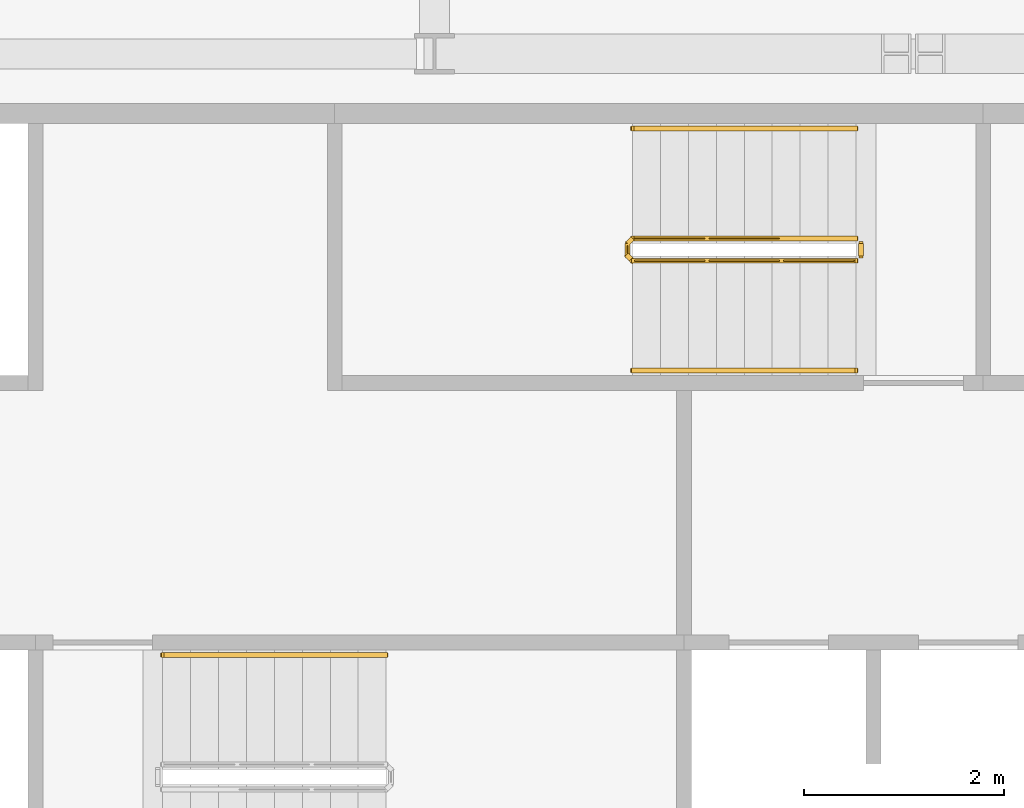
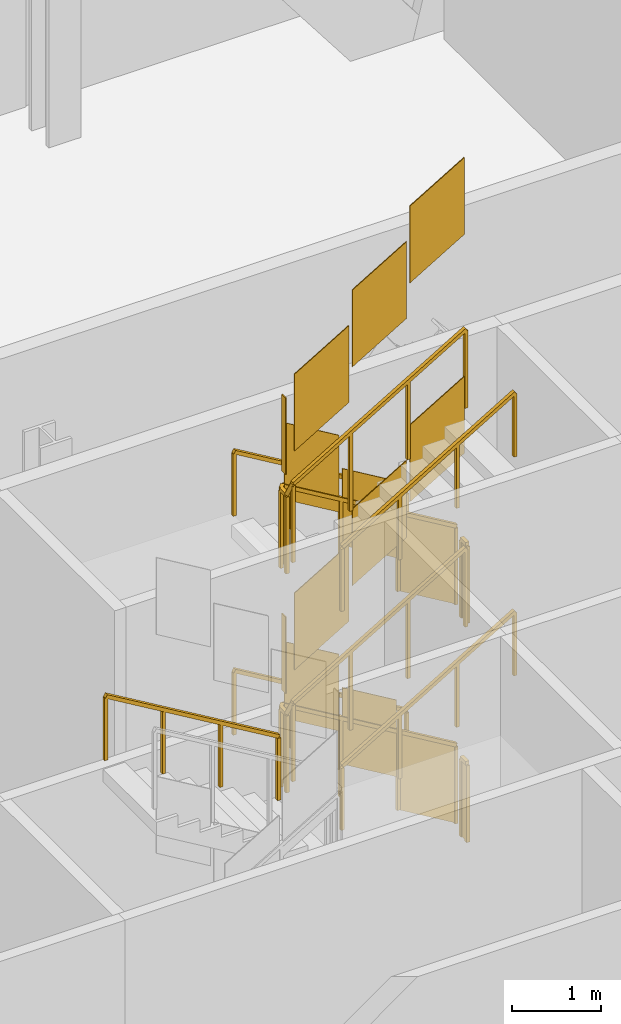
# One storey, part 18 of 18: 9 railings.
"""IFC4 building model written with IfcOpenShell, lengths in metres."""

from ifc_helpers import new_model, si_unit, direction, frame, origin, origin_2d, place, context, subcontext, project, spatial, polyline, rectangle, outline, extrude, material, type_object, element, save


model = new_model("IFC4")

# Units and contexts
model_context = context("Model", 3, precision=1e-05, world=origin(), true_north=direction((0.0, 1.0)))
body_context = subcontext(model_context, "Body", "Model", "MODEL_VIEW")
ifc_project = project(units=[si_unit("LENGTHUNIT", "METRE"), si_unit("AREAUNIT", "SQUARE_METRE"), si_unit("VOLUMEUNIT", "CUBIC_METRE"), si_unit("PLANEANGLEUNIT", "RADIAN"), si_unit("MASSUNIT", "GRAM", prefix="KILO")], contexts=[model_context])

# Site, building, storey
site_placement = place(None, origin())
site = spatial("IfcSite", under=ifc_project, at=site_placement, CompositionType="ELEMENT")
building_placement = place(site_placement, origin())
building = spatial("IfcBuilding", under=site, at=building_placement, Name="Cairn Pilgrim Tower", CompositionType="ELEMENT")
storey_placement = place(building_placement, frame((0.0, 0.0, 204.60009765625)))
storey = spatial("IfcBuildingStorey", under=building, at=storey_placement, Name="L52", CompositionType="ELEMENT", Elevation=204.60009765625)

# Railings
ifc_material = material(Name="Painted steel", Category="steel")
railing_type_1 = type_object("IfcRailingType", Name="STAIR GUARD 1100", PredefinedType="GUARDRAIL", material=ifc_material)
railing_1_placement = place(storey_placement, frame((11.425048828125, 8.949951171875, 0.16650390625)))
element("IfcRailing", 1, at=railing_1_placement, inside=storey, type_object=railing_type_1, Name="L52 ST-C stair guard 1", PredefinedType="GUARDRAIL", context=body_context, shape_type="SweptSolid", body=[
    extrude(rectangle(XDim=0.048095703125, YDim=0.048095703125, at=origin_2d()), frame((0.0, 0.0, 1.076171875), z_axis=(-0.859264461869, 0.0, 0.511531606619), x_axis=(0.0, -1.0, 0.0)), (0.0, 0.0, 1.0), 2.60693359375),
    extrude(rectangle(XDim=0.048095703125, YDim=0.048095703125, at=origin_2d()), frame((-2.239990234375, 0.0, 2.40966796875), z_axis=(-0.707106781187, -0.707106781187, 0.0), x_axis=(0.707106781187, -0.707106781187, 0.0)), (0.0, 0.0, 1.0), 0.07080078125),
    extrude(rectangle(XDim=0.048095703125, YDim=0.048095703125, at=origin_2d()), frame((-2.2900390625, -0.050048828125, 2.40966796875), z_axis=(0.0, -1.0, 0.0), x_axis=(1.0, 0.0, 0.0)), (0.0, 0.0, 1.0), 0.125),
    extrude(rectangle(XDim=0.048095703125, YDim=0.048095703125, at=origin_2d()), frame((-2.2900390625, -0.175048828125, 2.40966796875), z_axis=(0.276732813696, -0.275382897532, 0.920642824102), x_axis=(0.705375805398, 0.708833529934, 0.0)), (0.0, 0.0, 1.0), 0.180908203125),
    extrude(rectangle(XDim=0.048095703125, YDim=0.048095703125, at=origin_2d()), frame((-2.239990234375, -0.224853515625, 2.576171875), z_axis=(0.859264461869, 0.0, 0.511531606619), x_axis=(0.0, 1.0, 0.0)), (0.0, 0.0, 1.0), 2.60693359375),
    extrude(rectangle(XDim=0.0419921875, YDim=0.0419921875, at=origin_2d()), origin(), (0.0, 0.0, 1.0), 1.052001953125),
    extrude(rectangle(XDim=0.0419921875, YDim=0.0419921875, at=origin_2d()), frame((-0.74658203125, 0.0, 0.444580078125)), (0.0, 0.0, 1.0), 1.052001953125),
    extrude(rectangle(XDim=0.0419921875, YDim=0.0419921875, at=origin_2d()), frame((-1.493408203125, 0.0, 0.888916015625)), (0.0, 0.0, 1.0), 1.052001953125),
    extrude(rectangle(XDim=0.0419921875, YDim=0.0419921875, at=origin_2d()), frame((-2.239990234375, 0.0, 1.33349609375)), (0.0, 0.0, 1.0), 1.052001953125),
    extrude(rectangle(XDim=0.0419921875, YDim=0.0419921875, at=origin_2d()), frame((-2.2900390625, -0.050048828125, 1.33349609375)), (0.0, 0.0, 1.0), 1.052001953125),
    extrude(rectangle(XDim=0.0419921875, YDim=0.0419921875, at=origin_2d()), frame((-2.2900390625, -0.175048828125, 1.33349609375)), (0.0, 0.0, 1.0), 1.052001953125),
    extrude(rectangle(XDim=0.0419921875, YDim=0.0419921875, at=origin_2d()), frame((-2.239990234375, -0.224853515625, 1.5)), (0.0, 0.0, 1.0), 1.052001953125),
    extrude(rectangle(XDim=0.0419921875, YDim=0.0419921875, at=origin_2d()), frame((-1.493408203125, -0.224853515625, 1.944580078125)), (0.0, 0.0, 1.0), 1.052001953125),
    extrude(rectangle(XDim=0.0419921875, YDim=0.0419921875, at=origin_2d()), frame((-0.74658203125, -0.224853515625, 2.388916015625)), (0.0, 0.0, 1.0), 1.052001953125),
    extrude(rectangle(XDim=0.0419921875, YDim=0.0419921875, at=origin_2d()), frame((0.0, -0.224853515625, 2.83349609375)), (0.0, 0.0, 1.0), 1.052001953125),
    extrude(outline(polyline([(0.02099609375, 0.012451171875), (0.7255859375, 0.431884765625), (0.7255859375, 1.48388671875), (0.02099609375, 1.064453125), (0.02099609375, 0.012451171875)])), frame((0.0, -0.005859375, 0.0), z_axis=(0.0, 1.0, 0.0), x_axis=(-1.0, 0.0, 0.0)), (0.0, 0.0, 1.0), 0.011962890625),
    extrude(outline(polyline([(0.02099609375, 0.45703125), (0.7255859375, 0.87646484375), (0.7255859375, 1.928466796875), (0.02099609375, 1.509033203125), (0.02099609375, 0.45703125)])), frame((-0.74658203125, -0.005859375, 0.444580078125), z_axis=(0.0, 1.0, 0.0), x_axis=(-1.0, 0.0, 0.0)), (0.0, 0.0, 1.0), 0.011962890625),
    extrude(outline(polyline([(0.02099609375, 0.901611328125), (0.7255859375, 1.321044921875), (0.7255859375, 2.373046875), (0.02099609375, 1.95361328125), (0.02099609375, 0.901611328125)])), frame((-1.493408203125, -0.005859375, 0.888916015625), z_axis=(0.0, 1.0, 0.0), x_axis=(-1.0, 0.0, 0.0)), (0.0, 0.0, 1.0), 0.011962890625),
    extrude(outline(polyline([(0.02099609375, 1.33349609375), (0.10400390625, 1.33349609375), (0.10400390625, 2.385498046875), (0.02099609375, 2.385498046875), (0.02099609375, 1.33349609375)])), frame((-2.2841796875, -0.050048828125, 1.33349609375), z_axis=(-1.0, 0.0, 0.0), x_axis=(0.0, -1.0, 0.0)), (0.0, 0.0, 1.0), 0.011962890625),
    extrude(outline(polyline([(0.02099609375, 1.512451171875), (0.7255859375, 1.931884765625), (0.7255859375, 2.98388671875), (0.02099609375, 2.564453125), (0.02099609375, 1.512451171875)])), frame((-2.239990234375, -0.21875, 1.5), z_axis=(0.0, -1.0, 0.0), x_axis=(1.0, 0.0, 0.0)), (0.0, 0.0, 1.0), 0.011962890625),
    extrude(outline(polyline([(0.02099609375, 1.95703125), (0.7255859375, 2.37646484375), (0.7255859375, 3.428466796875), (0.02099609375, 3.009033203125), (0.02099609375, 1.95703125)])), frame((-1.493408203125, -0.21875, 1.944580078125), z_axis=(0.0, -1.0, 0.0), x_axis=(1.0, 0.0, 0.0)), (0.0, 0.0, 1.0), 0.011962890625),
    extrude(outline(polyline([(0.02099609375, 2.401611328125), (0.7255859375, 2.821044921875), (0.7255859375, 3.873046875), (0.02099609375, 3.45361328125), (0.02099609375, 2.401611328125)])), frame((-0.74658203125, -0.21875, 2.388916015625), z_axis=(0.0, -1.0, 0.0), x_axis=(1.0, 0.0, 0.0)), (0.0, 0.0, 1.0), 0.011962890625),
])
railing_2_placement = place(storey_placement, frame((11.47509765625, 8.89990234375, 3.0)))
element("IfcRailing", 2, at=railing_2_placement, inside=storey, type_object=railing_type_1, Name="L52 ST-C stair guard 2", PredefinedType="GUARDRAIL", context=body_context, shape_type="SweptSolid", body=[
    extrude(rectangle(XDim=0.048095703125, YDim=0.048095703125, at=origin_2d()), frame((0.0, 0.0, 1.076171875), z_axis=(0.0, -1.0, 0.0), x_axis=(1.0, 0.0, 0.0)), (0.0, 0.0, 1.0), 0.125),
    extrude(rectangle(XDim=0.0419921875, YDim=0.0419921875, at=origin_2d()), origin(), (0.0, 0.0, 1.0), 1.052001953125),
    extrude(rectangle(XDim=0.0419921875, YDim=0.0419921875, at=origin_2d()), frame((0.0, -0.125, 0.0)), (0.0, 0.0, 1.0), 1.052001953125),
    extrude(outline(polyline([(0.02099609375, 0.0), (0.10400390625, 0.0), (0.10400390625, 1.052001953125), (0.02099609375, 1.052001953125), (0.02099609375, 0.0)])), frame((0.005859375, 0.0, 0.0), z_axis=(-1.0, 0.0, 0.0), x_axis=(0.0, -1.0, 0.0)), (0.0, 0.0, 1.0), 0.011962890625),
])
railing_3_placement = place(storey_placement, frame((11.425048828125, 8.949951171875, 3.16650390625)))
element("IfcRailing", 3, at=railing_3_placement, inside=storey, type_object=railing_type_1, Name="L52 ST-C stair guard 3", PredefinedType="GUARDRAIL", context=body_context, shape_type="SweptSolid", body=[
    extrude(rectangle(XDim=0.048095703125, YDim=0.048095703125, at=origin_2d()), frame((0.0, 0.0, 1.076171875), z_axis=(-0.859264461869, 0.0, 0.511531606619), x_axis=(0.0, -1.0, 0.0)), (0.0, 0.0, 1.0), 2.60693359375),
    extrude(rectangle(XDim=0.048095703125, YDim=0.048095703125, at=origin_2d()), frame((-2.239990234375, 0.0, 2.40966796875), z_axis=(-0.707106781187, -0.707106781187, 0.0), x_axis=(0.707106781187, -0.707106781187, 0.0)), (0.0, 0.0, 1.0), 0.07080078125),
    extrude(rectangle(XDim=0.048095703125, YDim=0.048095703125, at=origin_2d()), frame((-2.2900390625, -0.050048828125, 2.40966796875), z_axis=(0.0, -1.0, 0.0), x_axis=(1.0, 0.0, 0.0)), (0.0, 0.0, 1.0), 0.125),
    extrude(rectangle(XDim=0.048095703125, YDim=0.048095703125, at=origin_2d()), frame((-2.2900390625, -0.175048828125, 2.40966796875), z_axis=(0.276732813696, -0.275382897532, 0.920642824102), x_axis=(0.705375805398, 0.708833529934, 0.0)), (0.0, 0.0, 1.0), 0.180908203125),
    extrude(rectangle(XDim=0.048095703125, YDim=0.048095703125, at=origin_2d()), frame((-2.239990234375, -0.224853515625, 2.576171875), z_axis=(0.859264461869, 0.0, 0.511531606619), x_axis=(0.0, 1.0, 0.0)), (0.0, 0.0, 1.0), 2.60693359375),
    extrude(rectangle(XDim=0.0419921875, YDim=0.0419921875, at=origin_2d()), origin(), (0.0, 0.0, 1.0), 1.052001953125),
    extrude(rectangle(XDim=0.0419921875, YDim=0.0419921875, at=origin_2d()), frame((-0.74658203125, 0.0, 0.444580078125)), (0.0, 0.0, 1.0), 1.052001953125),
    extrude(rectangle(XDim=0.0419921875, YDim=0.0419921875, at=origin_2d()), frame((-1.493408203125, 0.0, 0.888916015625)), (0.0, 0.0, 1.0), 1.052001953125),
    extrude(rectangle(XDim=0.0419921875, YDim=0.0419921875, at=origin_2d()), frame((-2.239990234375, 0.0, 1.33349609375)), (0.0, 0.0, 1.0), 1.052001953125),
    extrude(rectangle(XDim=0.0419921875, YDim=0.0419921875, at=origin_2d()), frame((-2.2900390625, -0.050048828125, 1.33349609375)), (0.0, 0.0, 1.0), 1.052001953125),
    extrude(rectangle(XDim=0.0419921875, YDim=0.0419921875, at=origin_2d()), frame((-2.2900390625, -0.175048828125, 1.33349609375)), (0.0, 0.0, 1.0), 1.052001953125),
    extrude(rectangle(XDim=0.0419921875, YDim=0.0419921875, at=origin_2d()), frame((-2.239990234375, -0.224853515625, 1.5)), (0.0, 0.0, 1.0), 1.052001953125),
    extrude(rectangle(XDim=0.0419921875, YDim=0.0419921875, at=origin_2d()), frame((-1.493408203125, -0.224853515625, 1.944580078125)), (0.0, 0.0, 1.0), 1.052001953125),
    extrude(rectangle(XDim=0.0419921875, YDim=0.0419921875, at=origin_2d()), frame((-0.74658203125, -0.224853515625, 2.388916015625)), (0.0, 0.0, 1.0), 1.052001953125),
    extrude(rectangle(XDim=0.0419921875, YDim=0.0419921875, at=origin_2d()), frame((0.0, -0.224853515625, 2.83349609375)), (0.0, 0.0, 1.0), 1.052001953125),
    extrude(outline(polyline([(0.02099609375, 0.012451171875), (0.7255859375, 0.431884765625), (0.7255859375, 1.48388671875), (0.02099609375, 1.064453125), (0.02099609375, 0.012451171875)])), frame((0.0, -0.005859375, 0.0), z_axis=(0.0, 1.0, 0.0), x_axis=(-1.0, 0.0, 0.0)), (0.0, 0.0, 1.0), 0.011962890625),
    extrude(outline(polyline([(0.02099609375, 0.45703125), (0.7255859375, 0.87646484375), (0.7255859375, 1.928466796875), (0.02099609375, 1.509033203125), (0.02099609375, 0.45703125)])), frame((-0.74658203125, -0.005859375, 0.444580078125), z_axis=(0.0, 1.0, 0.0), x_axis=(-1.0, 0.0, 0.0)), (0.0, 0.0, 1.0), 0.011962890625),
    extrude(outline(polyline([(0.02099609375, 0.901611328125), (0.7255859375, 1.321044921875), (0.7255859375, 2.373046875), (0.02099609375, 1.95361328125), (0.02099609375, 0.901611328125)])), frame((-1.493408203125, -0.005859375, 0.888916015625), z_axis=(0.0, 1.0, 0.0), x_axis=(-1.0, 0.0, 0.0)), (0.0, 0.0, 1.0), 0.011962890625),
    extrude(outline(polyline([(0.02099609375, 1.33349609375), (0.10400390625, 1.33349609375), (0.10400390625, 2.385498046875), (0.02099609375, 2.385498046875), (0.02099609375, 1.33349609375)])), frame((-2.2841796875, -0.050048828125, 1.33349609375), z_axis=(-1.0, 0.0, 0.0), x_axis=(0.0, -1.0, 0.0)), (0.0, 0.0, 1.0), 0.011962890625),
    extrude(outline(polyline([(0.02099609375, 1.512451171875), (0.7255859375, 1.931884765625), (0.7255859375, 2.98388671875), (0.02099609375, 2.564453125), (0.02099609375, 1.512451171875)])), frame((-2.239990234375, -0.21875, 1.5), z_axis=(0.0, -1.0, 0.0), x_axis=(1.0, 0.0, 0.0)), (0.0, 0.0, 1.0), 0.011962890625),
    extrude(outline(polyline([(0.02099609375, 1.95703125), (0.7255859375, 2.37646484375), (0.7255859375, 3.428466796875), (0.02099609375, 3.009033203125), (0.02099609375, 1.95703125)])), frame((-1.493408203125, -0.21875, 1.944580078125), z_axis=(0.0, -1.0, 0.0), x_axis=(1.0, 0.0, 0.0)), (0.0, 0.0, 1.0), 0.011962890625),
    extrude(outline(polyline([(0.02099609375, 2.401611328125), (0.7255859375, 2.821044921875), (0.7255859375, 3.873046875), (0.02099609375, 3.45361328125), (0.02099609375, 2.401611328125)])), frame((-0.74658203125, -0.21875, 2.388916015625), z_axis=(0.0, -1.0, 0.0), x_axis=(1.0, 0.0, 0.0)), (0.0, 0.0, 1.0), 0.011962890625),
])
railing_4_placement = place(storey_placement, frame((11.47509765625, 8.89990234375, 0.0)))
element("IfcRailing", 4, at=railing_4_placement, inside=storey, type_object=railing_type_1, Name="L52 ST-C stair guard 4", PredefinedType="GUARDRAIL", context=body_context, shape_type="SweptSolid", body=[
    extrude(rectangle(XDim=0.048095703125, YDim=0.048095703125, at=origin_2d()), frame((0.0, 0.0, 1.076171875), z_axis=(0.0, -1.0, 0.0), x_axis=(1.0, 0.0, 0.0)), (0.0, 0.0, 1.0), 0.125),
    extrude(rectangle(XDim=0.0419921875, YDim=0.0419921875, at=origin_2d()), origin(), (0.0, 0.0, 1.0), 1.052001953125),
    extrude(rectangle(XDim=0.0419921875, YDim=0.0419921875, at=origin_2d()), frame((0.0, -0.125, 0.0)), (0.0, 0.0, 1.0), 1.052001953125),
    extrude(outline(polyline([(0.02099609375, 0.0), (0.10400390625, 0.0), (0.10400390625, 1.052001953125), (0.02099609375, 1.052001953125), (0.02099609375, 0.0)])), frame((0.005859375, 0.0, 0.0), z_axis=(-1.0, 0.0, 0.0), x_axis=(0.0, -1.0, 0.0)), (0.0, 0.0, 1.0), 0.011962890625),
])
railing_type_2 = type_object("IfcRailingType", Name="STAIR HANDRAIL 900", PredefinedType="HANDRAIL", material=ifc_material)
for number, where, name in (
    (5, (6.715087890625, 4.77490234375, 4.66650390625), "L52 ST-B stair handrail 4"),
    (6, (11.425048828125, 10.050048828125, 0.16650390625), "L52 ST-C stair handrail 1"),
):
    element("IfcRailing", number, at=place(storey_placement, frame(where)), inside=storey, type_object=railing_type_2, Name=name, PredefinedType="HANDRAIL", context=body_context, shape_type="SweptSolid", body=[
        extrude(rectangle(XDim=0.048095703125, YDim=0.048095703125, at=origin_2d()), frame((0.0, 0.0, 0.8759765625), z_axis=(-0.859264461869, 0.0, 0.511531606619), x_axis=(0.0, -1.0, 0.0)), (0.0, 0.0, 1.0), 2.60693359375),
        extrude(rectangle(XDim=0.0419921875, YDim=0.0419921875, at=origin_2d()), origin(), (0.0, 0.0, 1.0), 0.851806640625),
        extrude(rectangle(XDim=0.0419921875, YDim=0.0419921875, at=origin_2d()), frame((-0.74658203125, 0.0, 0.444580078125)), (0.0, 0.0, 1.0), 0.851806640625),
        extrude(rectangle(XDim=0.0419921875, YDim=0.0419921875, at=origin_2d()), frame((-1.493408203125, 0.0, 0.888916015625)), (0.0, 0.0, 1.0), 0.851806640625),
        extrude(rectangle(XDim=0.0419921875, YDim=0.0419921875, at=origin_2d()), frame((-2.239990234375, 0.0, 1.33349609375)), (0.0, 0.0, 1.0), 0.851806640625),
    ])
railing_5_placement = place(storey_placement, frame((9.18505859375, 7.625, 1.66650390625)))
element("IfcRailing", 7, at=railing_5_placement, inside=storey, type_object=railing_type_2, Name="L52 ST-C stair handrail 2", PredefinedType="HANDRAIL", context=body_context, shape_type="SweptSolid", body=[
    extrude(rectangle(XDim=0.048095703125, YDim=0.048095703125, at=origin_2d()), frame((0.0, 0.0, 0.8759765625), z_axis=(0.859264461869, 0.0, 0.511531606619), x_axis=(0.0, 1.0, 0.0)), (0.0, 0.0, 1.0), 2.60693359375),
    extrude(rectangle(XDim=0.0419921875, YDim=0.0419921875, at=origin_2d()), origin(), (0.0, 0.0, 1.0), 0.851806640625),
    extrude(rectangle(XDim=0.0419921875, YDim=0.0419921875, at=origin_2d()), frame((0.74658203125, 0.0, 0.444580078125)), (0.0, 0.0, 1.0), 0.851806640625),
    extrude(rectangle(XDim=0.0419921875, YDim=0.0419921875, at=origin_2d()), frame((1.493408203125, 0.0, 0.888916015625)), (0.0, 0.0, 1.0), 0.851806640625),
    extrude(rectangle(XDim=0.0419921875, YDim=0.0419921875, at=origin_2d()), frame((2.239990234375, 0.0, 1.33349609375)), (0.0, 0.0, 1.0), 0.851806640625),
])
railing_6_placement = place(storey_placement, frame((11.425048828125, 10.050048828125, 3.16650390625)))
element("IfcRailing", 8, at=railing_6_placement, inside=storey, type_object=railing_type_2, Name="L52 ST-C stair handrail 3", PredefinedType="HANDRAIL", context=body_context, shape_type="SweptSolid", body=[
    extrude(rectangle(XDim=0.048095703125, YDim=0.048095703125, at=origin_2d()), frame((0.0, 0.0, 0.8759765625), z_axis=(-0.859264461869, 0.0, 0.511531606619), x_axis=(0.0, -1.0, 0.0)), (0.0, 0.0, 1.0), 2.60693359375),
    extrude(rectangle(XDim=0.0419921875, YDim=0.0419921875, at=origin_2d()), origin(), (0.0, 0.0, 1.0), 0.851806640625),
    extrude(rectangle(XDim=0.0419921875, YDim=0.0419921875, at=origin_2d()), frame((-0.74658203125, 0.0, 0.444580078125)), (0.0, 0.0, 1.0), 0.851806640625),
    extrude(rectangle(XDim=0.0419921875, YDim=0.0419921875, at=origin_2d()), frame((-1.493408203125, 0.0, 0.888916015625)), (0.0, 0.0, 1.0), 0.851806640625),
    extrude(rectangle(XDim=0.0419921875, YDim=0.0419921875, at=origin_2d()), frame((-2.239990234375, 0.0, 1.33349609375)), (0.0, 0.0, 1.0), 0.851806640625),
])
railing_7_placement = place(storey_placement, frame((9.18505859375, 7.625, 4.66650390625)))
element("IfcRailing", 9, at=railing_7_placement, inside=storey, type_object=railing_type_2, Name="L52 ST-C stair handrail 4", PredefinedType="HANDRAIL", context=body_context, shape_type="SweptSolid", body=[
    extrude(rectangle(XDim=0.048095703125, YDim=0.048095703125, at=origin_2d()), frame((0.0, 0.0, 0.8759765625), z_axis=(0.859264461869, 0.0, 0.511531606619), x_axis=(0.0, 1.0, 0.0)), (0.0, 0.0, 1.0), 2.60693359375),
    extrude(rectangle(XDim=0.0419921875, YDim=0.0419921875, at=origin_2d()), origin(), (0.0, 0.0, 1.0), 0.851806640625),
    extrude(rectangle(XDim=0.0419921875, YDim=0.0419921875, at=origin_2d()), frame((0.74658203125, 0.0, 0.444580078125)), (0.0, 0.0, 1.0), 0.851806640625),
    extrude(rectangle(XDim=0.0419921875, YDim=0.0419921875, at=origin_2d()), frame((1.493408203125, 0.0, 0.888916015625)), (0.0, 0.0, 1.0), 0.851806640625),
    extrude(rectangle(XDim=0.0419921875, YDim=0.0419921875, at=origin_2d()), frame((2.239990234375, 0.0, 1.33349609375)), (0.0, 0.0, 1.0), 0.851806640625),
])

save(model, "model.ifc")
